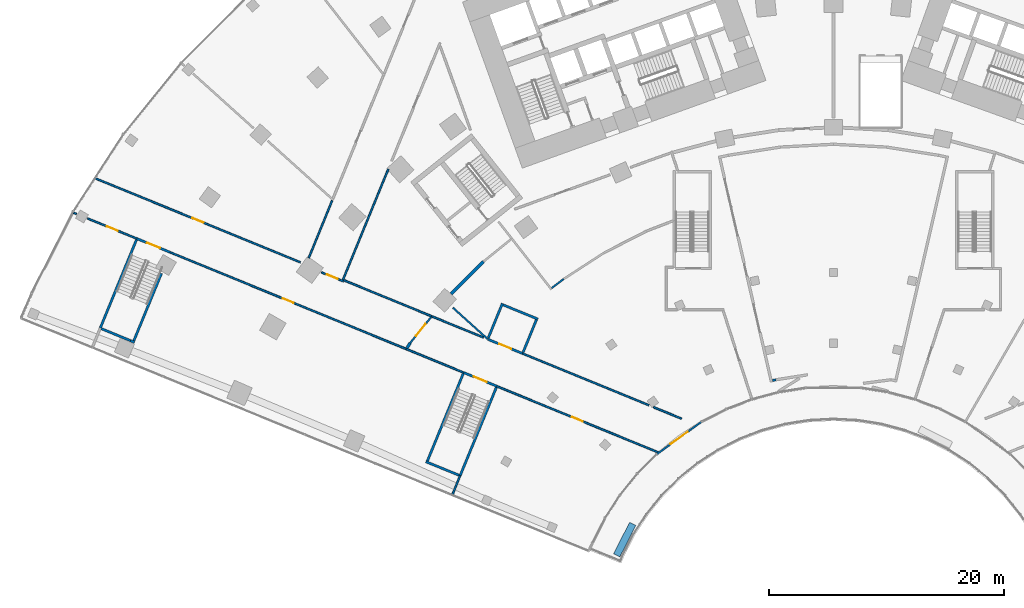
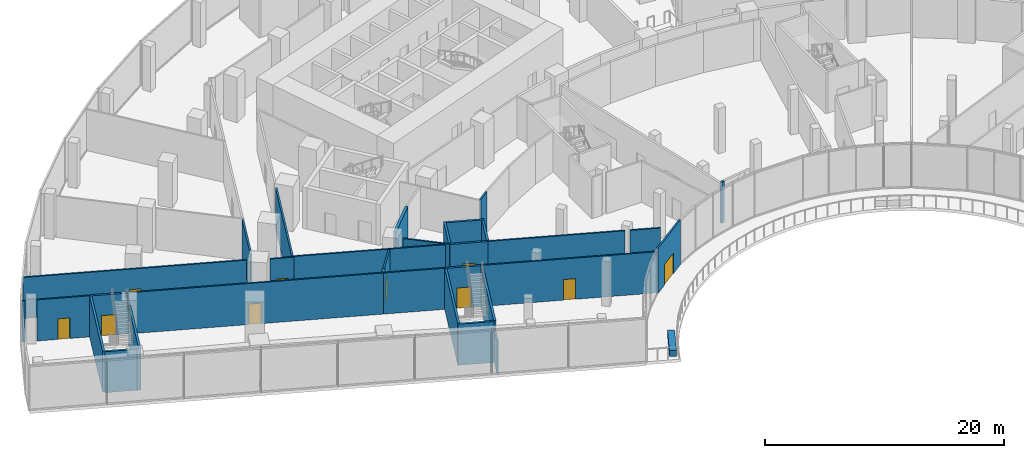
# One storey, part 21 of 40: 35 walls, 10 doors, 10 openings.
"""IFC4 building model written with IfcOpenShell, lengths in metres."""

from ifc_helpers import new_model, si_unit, direction, frame, frame_2d, origin, origin_2d, place, context, subcontext, project, spatial, rectangle, extrude, material, layer, layer_set, type_object, element, fill, save


model = new_model("IFC4")

# Units and contexts
model_context = context("Model", 3, precision=1e-05, world=origin(), true_north=direction((0.0, 1.0)))
body_context = subcontext(model_context, "Body", "Model", "MODEL_VIEW")
ifc_project = project(units=[si_unit("LENGTHUNIT", "METRE"), si_unit("AREAUNIT", "SQUARE_METRE"), si_unit("VOLUMEUNIT", "CUBIC_METRE"), si_unit("PLANEANGLEUNIT", "RADIAN"), si_unit("MASSUNIT", "GRAM", prefix="KILO")], contexts=[model_context])

# Site, building, storey
site_placement = place(None, origin())
site = spatial("IfcSite", under=ifc_project, at=site_placement, CompositionType="ELEMENT")
building_placement = place(site_placement, origin())
building = spatial("IfcBuilding", under=site, at=building_placement, Name="Stone Belt Terrace Tower", CompositionType="ELEMENT")
storey_placement = place(building_placement, frame((0.0, 0.0, 11.60009765625)))
storey = spatial("IfcBuildingStorey", under=building, at=storey_placement, Name="L02", CompositionType="ELEMENT", Elevation=11.60009765625)

# Wall, opening, door
ifc_material_1 = material(Name="Terracotta coloured glazed ceramic", Category="masonry")
ifc_layer_1 = layer(ifc_material_1, 0.14990234375)
ifc_layer_set_1 = layer_set([ifc_layer_1], Name="Ceramic rain-screen wall 150")
wall_type_1 = type_object("IfcWallType", Name="Ceramic rain-screen wall 150", PredefinedType="SOLIDWALL", material=ifc_layer_set_1)
wall_1_placement = place(storey_placement, frame((-14.9775390625, 16.6845703125, 0.0), z_axis=(0.0, 0.0, 1.0), x_axis=(0.809001065815, 0.587807175449, 0.0)))
wall_1 = element("IfcWall", 1, at=wall_1_placement, inside=storey, type_object=wall_type_1, Name="Door wall L02", PredefinedType="SOLIDWALL", context=body_context, shape_type="SweptSolid", body=[
    extrude(rectangle(XDim=4.620361328125, YDim=0.14990234375, at=frame_2d((2.31005859375, 0.0))), origin(), (0.0, 0.0, 1.0), 4.599853515625),
])
opening_1_placement = place(wall_1_placement, frame((1.41015625, 0.0, 0.0)))
opening_1 = element("IfcOpeningElement", 2, at=opening_1_placement, cuts=wall_1, Name="Opening L02-E01", PredefinedType="OPENING", context=body_context, shape_type="SweptSolid", body=[
    extrude(rectangle(XDim=1.800048828125, YDim=2.10009765625, at=frame_2d((0.89990234375, 1.050048828125))), frame((0.0, 0.0849609375, 0.0), z_axis=(0.0, -1.0, 0.0), x_axis=(1.0, 0.0, 0.0)), (0.0, 0.0, 1.0), 0.169921875),
])
ifc_material_2 = material(Name="Anodised aluminium glazed door", Category="aluminium")
door_type_1 = type_object("IfcDoorType", Name="Terrace double door 1800 x 2100", OperationType="DOUBLE_DOOR_DOUBLE_SWING", PredefinedType="DOOR", material=ifc_material_2)
door_1_placement = place(opening_1_placement, origin())
door_1 = element("IfcDoor", 3, at=door_1_placement, inside=storey, type_object=door_type_1, Name="Terrace door L02", OperationType="DOUBLE_DOOR_DOUBLE_SWING", OverallHeight=2.10009765625, OverallWidth=1.800048828125, PredefinedType="DOOR", context=body_context, shape_type="SweptSolid", body=[
    extrude(rectangle(XDim=1.800048828125, YDim=2.10009765625, at=frame_2d((0.89990234375, 1.050048828125))), frame((0.0, 0.02490234375, 0.0), z_axis=(0.0, -1.0, 0.0), x_axis=(1.0, 0.0, 0.0)), (0.0, 0.0, 1.0), 0.050048828125),
])
fill(opening_1, door_1)

# Walls
ifc_material_3 = material(Name="Concrete B30", Category="concrete")
ifc_layer_2 = layer(ifc_material_3, 0.25)
ifc_layer_set_2 = layer_set([ifc_layer_2], Name="Compartment wall 250")
wall_type_2 = type_object("IfcWallType", Name="Compartment wall 250", PredefinedType="SOLIDWALL", material=ifc_layer_set_2)
wall_2_placement = place(storey_placement, frame((-32.4853515625, 30.28466796875, 0.0), z_axis=(0.0, 0.0, 1.0), x_axis=(0.707106781187, 0.707106781187, 0.0)))
element("IfcWall", 4, at=wall_2_placement, inside=storey, type_object=wall_type_2, Name="Compartment wall L02 2", PredefinedType="SOLIDWALL", context=body_context, shape_type="SweptSolid", body=[
    extrude(rectangle(XDim=3.8759765625, YDim=0.25, at=frame_2d((1.93798828125, 0.0))), origin(), (0.0, 0.0, 1.0), 4.199951171875),
])
ifc_material_4 = material(Name="Fire-resistant glazing in steel frame", Category="steel")
ifc_layer_3 = layer(ifc_material_4, 0.25)
ifc_layer_set_3 = layer_set([ifc_layer_3], Name="Glazed compartment fire screen 250")
wall_type_3 = type_object("IfcWallType", Name="Glazed compartment fire screen 250", PredefinedType="PARTITIONING", material=ifc_layer_set_3)
wall_3_placement = place(storey_placement, frame((-36.2451171875, 25.68408203125, 0.0), z_axis=(0.0, 0.0, 1.0), x_axis=(0.547453853433, 0.836835873013, 0.0)))
element("IfcWall", 5, at=wall_3_placement, inside=storey, type_object=wall_type_3, Name="Compartment fire screen L02 1", PredefinedType="PARTITIONING", context=body_context, shape_type="SweptSolid", body=[
    extrude(rectangle(XDim=0.5146484375, YDim=0.25, at=frame_2d((0.25732421875, 0.0))), origin(), (0.0, 0.0, 1.0), 4.199951171875),
])
ifc_material_5 = material(Name="Precast concrete C40/50", Category="concrete")
ifc_layer_4 = layer(ifc_material_5, 0.60009765625)
ifc_layer_set_4 = layer_set([ifc_layer_4], Name="Planter box 600 x 600")
wall_type_4 = type_object("IfcWallType", Name="Planter box 600 x 600", PredefinedType="SOLIDWALL", material=ifc_layer_set_4)
wall_4_placement = place(storey_placement, frame((-17.733642578125, 9.410888671875, -0.000244140625), z_axis=(0.0, 0.0, 1.0), x_axis=(0.45399049974, 0.891006524188, 0.0)))
element("IfcWall", 6, at=wall_4_placement, inside=storey, type_object=wall_type_4, Name="PLANTER L02 1", PredefinedType="SOLIDWALL", context=body_context, shape_type="SweptSolid", body=[
    extrude(rectangle(XDim=3.0, YDim=0.60009765625, at=origin_2d()), origin(), (0.0, 0.0, 1.0), 0.60009765625),
])
ifc_material_6 = material(Name="Blockwork wall, plastered both faces", Category="masonry")
ifc_layer_5 = layer(ifc_material_6, 0.199951171875)
ifc_layer_set_5 = layer_set([ifc_layer_5], Name="Podium demising wall 200")
wall_type_5 = type_object("IfcWallType", Name="Podium demising wall 200", PredefinedType="PARTITIONING", material=ifc_layer_set_5)
wall_5_placement = place(storey_placement, frame((-5.1923828125, 22.922119140625, 0.0), z_axis=(0.0, 0.0, 1.0), x_axis=(0.975716252094, 0.219038342307, 0.0)))
element("IfcWall", 7, at=wall_5_placement, inside=storey, type_object=wall_type_5, Name="Podium demising wall 200", PredefinedType="PARTITIONING", context=body_context, shape_type="SweptSolid", body=[
    extrude(rectangle(XDim=0.306396484375, YDim=0.199951171875, at=frame_2d((0.1533203125, 0.0))), origin(), (0.0, 0.0, 1.0), 4.199951171875),
])

# Wall, opening, door
ifc_material_7 = material(Name="Reinforced blockwork wall, plastered both faces", Category="masonry")
ifc_layer_6 = layer(ifc_material_7, 0.199951171875)
ifc_layer_set_6 = layer_set([ifc_layer_6], Name="Podium lift shaft wall 200")
wall_type_6 = type_object("IfcWallType", Name="Podium lift shaft wall 200", PredefinedType="SOLIDWALL", material=ifc_layer_set_6)
wall_6_placement = place(storey_placement, frame((-29.3701171875, 26.429931640625, 0.0), z_axis=(0.0, 0.0, 1.0), x_axis=(0.925660010793, -0.378356372246, 0.0)))
wall_6 = element("IfcWall", 8, at=wall_6_placement, inside=storey, type_object=wall_type_6, Name="Podium lift shaft wall 200", PredefinedType="SOLIDWALL", context=body_context, shape_type="SweptSolid", body=[
    extrude(rectangle(XDim=3.197998046875, YDim=0.199951171875, at=frame_2d((1.59912109375, 0.0))), origin(), (0.0, 0.0, 1.0), 4.199951171875),
])
opening_2_placement = place(wall_6_placement, frame((1.048828125, 0.0, 0.0)))
opening_2 = element("IfcOpeningElement", 9, at=opening_2_placement, cuts=wall_6, Name="Opening L02-P09", PredefinedType="OPENING", context=body_context, shape_type="SweptSolid", body=[
    extrude(rectangle(XDim=1.10009765625, YDim=2.10009765625, at=frame_2d((0.550048828125, 1.050048828125))), frame((0.0, 0.10986328125, 0.0), z_axis=(0.0, -1.0, 0.0), x_axis=(1.0, 0.0, 0.0)), (0.0, 0.0, 1.0), 0.219970703125),
])
ifc_material_8 = material(Name="Stainless steel sliding landing door leaf", Category="steel")
door_type_2 = type_object("IfcDoorType", Name="Podium landing door 1100", OperationType="SLIDING_TO_LEFT", PredefinedType="DOOR", material=ifc_material_8)
door_2_placement = place(opening_2_placement, origin())
door_2 = element("IfcDoor", 10, at=door_2_placement, inside=storey, type_object=door_type_2, Name="Podium landing door 1100", OperationType="SLIDING_TO_LEFT", OverallHeight=2.10009765625, OverallWidth=1.10009765625, PredefinedType="DOOR", context=body_context, shape_type="SweptSolid", body=[
    extrude(rectangle(XDim=1.10009765625, YDim=2.10009765625, at=frame_2d((0.550048828125, 1.050048828125))), frame((0.0, 0.02490234375, 0.0), z_axis=(0.0, -1.0, 0.0), x_axis=(1.0, 0.0, 0.0)), (0.0, 0.0, 1.0), 0.050048828125),
])
fill(opening_2, door_2)

# Walls
wall_7_placement = place(storey_placement, frame((-29.326171875, 26.547119140625, 0.0), z_axis=(0.0, 0.0, 1.0), x_axis=(0.379522578953, 0.92518247501, 0.0)))
element("IfcWall", 11, at=wall_7_placement, inside=storey, type_object=wall_type_6, Name="Podium lift shaft wall 200", PredefinedType="SOLIDWALL", context=body_context, shape_type="SweptSolid", body=[
    extrude(rectangle(XDim=3.172607421875, YDim=0.199951171875, at=frame_2d((1.58642578125, 0.0))), origin(), (0.0, 0.0, 1.0), 4.199951171875),
])
wall_8_placement = place(storey_placement, frame((-28.0673828125, 29.352294921875, 0.0), z_axis=(0.0, 0.0, 1.0), x_axis=(0.925622338254, -0.378448526124, 0.0)))
element("IfcWall", 12, at=wall_8_placement, inside=storey, type_object=wall_type_6, Name="Podium lift shaft wall 200", PredefinedType="SOLIDWALL", context=body_context, shape_type="SweptSolid", body=[
    extrude(rectangle(XDim=3.19775390625, YDim=0.199951171875, at=frame_2d((1.598876953125, 0.0))), origin(), (0.0, 0.0, 1.0), 4.199951171875),
])
wall_9_placement = place(storey_placement, frame((-26.372314453125, 25.3125, 0.0), z_axis=(0.0, 0.0, 1.0), x_axis=(0.378442575395, 0.925624771237, 0.0)))
element("IfcWall", 13, at=wall_9_placement, inside=storey, type_object=wall_type_6, Name="Podium lift shaft wall 200", PredefinedType="SOLIDWALL", context=body_context, shape_type="SweptSolid", body=[
    extrude(rectangle(XDim=2.997802734375, YDim=0.199951171875, at=frame_2d((1.4990234375, 0.0))), origin(), (0.0, 0.0, 1.0), 4.199951171875),
])
ifc_material_9 = material(Name="Gypsum board on steel stud partition", Category="steel")
ifc_layer_7 = layer(ifc_material_9, 0.14990234375)
ifc_layer_set_7 = layer_set([ifc_layer_7], Name="Podium partition 150")
wall_type_7 = type_object("IfcWallType", Name="Podium partition 150", PredefinedType="PARTITIONING", material=ifc_layer_set_7)
wall_10_placement = place(storey_placement, frame((-64.56005859375, 37.179931640625, 0.0), z_axis=(0.0, 0.0, 1.0), x_axis=(0.92567790555, -0.378312589238, 0.0)))
element("IfcWall", 14, at=wall_10_placement, inside=storey, type_object=wall_type_7, Name="Podium partition 150", PredefinedType="PARTITIONING", context=body_context, shape_type="SweptSolid", body=[
    extrude(rectangle(XDim=0.26708984375, YDim=0.14990234375, at=frame_2d((0.133544921875, 0.0))), origin(), (0.0, 0.0, 1.0), 4.199951171875),
])

# Wall, opening, door
wall_11_placement = place(storey_placement, frame((-63.36962890625, 36.693115234375, 0.0), z_axis=(0.0, 0.0, 1.0), x_axis=(0.925603654014, -0.378494221458, 0.0)))
wall_11 = element("IfcWall", 15, at=wall_11_placement, inside=storey, type_object=wall_type_7, Name="Podium partition 150", PredefinedType="PARTITIONING", context=body_context, shape_type="SweptSolid", body=[
    extrude(rectangle(XDim=4.526123046875, YDim=0.14990234375, at=frame_2d((2.26318359375, 0.0))), origin(), (0.0, 0.0, 1.0), 4.199951171875),
])
opening_3_placement = place(wall_11_placement, frame((1.76318359375, 0.0, 0.0)))
opening_3 = element("IfcOpeningElement", 16, at=opening_3_placement, cuts=wall_11, Name="Opening L02-P18", PredefinedType="OPENING", context=body_context, shape_type="SweptSolid", body=[
    extrude(rectangle(XDim=1.0, YDim=2.10009765625, at=frame_2d((0.5, 1.050048828125))), frame((0.0, 0.0849609375, 0.0), z_axis=(0.0, -1.0, 0.0), x_axis=(1.0, 0.0, 0.0)), (0.0, 0.0, 1.0), 0.169921875),
])
ifc_material_10 = material(Name="Steel framed door leaf", Category="steel")
door_type_3 = type_object("IfcDoorType", Name="Podium door single 1000", OperationType="SINGLE_SWING_LEFT", PredefinedType="DOOR", material=ifc_material_10)
door_3_placement = place(opening_3_placement, origin())
door_3 = element("IfcDoor", 17, at=door_3_placement, inside=storey, type_object=door_type_3, Name="Podium door single 1000", OperationType="SINGLE_SWING_RIGHT", OverallHeight=2.10009765625, OverallWidth=1.0, PredefinedType="DOOR", context=body_context, shape_type="SweptSolid", body=[
    extrude(rectangle(XDim=1.0, YDim=2.10009765625, at=frame_2d((0.5, 1.050048828125))), frame((0.0, 0.02490234375, 0.0), z_axis=(0.0, -1.0, 0.0), x_axis=(1.0, 0.0, 0.0)), (0.0, 0.0, 1.0), 0.050048828125),
])
fill(opening_3, door_3)

wall_12_placement = place(storey_placement, frame((-62.77001953125, 40.126953125, 0.0), z_axis=(0.0, 0.0, 1.0), x_axis=(0.925299264419, -0.379237750318, 0.0)))
wall_12 = element("IfcWall", 18, at=wall_12_placement, inside=storey, type_object=wall_type_7, Name="Podium partition 150", PredefinedType="PARTITIONING", context=body_context, shape_type="SweptSolid", body=[
    extrude(rectangle(XDim=18.887451171875, YDim=0.14990234375, at=frame_2d((9.44384765625, 0.0))), origin(), (0.0, 0.0, 1.0), 4.199951171875),
])
opening_4_placement = place(wall_12_placement, frame((8.992431640625, 0.0, 0.0)))
opening_4 = element("IfcOpeningElement", 19, at=opening_4_placement, cuts=wall_12, Name="Opening L02-P22", PredefinedType="OPENING", context=body_context, shape_type="SweptSolid", body=[
    extrude(rectangle(XDim=1.0, YDim=2.10009765625, at=frame_2d((0.5, 1.050048828125))), frame((0.0, 0.0849609375, 0.0), z_axis=(0.0, -1.0, 0.0), x_axis=(1.0, 0.0, 0.0)), (0.0, 0.0, 1.0), 0.169921875),
])
door_4_placement = place(opening_4_placement, origin())
door_4 = element("IfcDoor", 20, at=door_4_placement, inside=storey, type_object=door_type_3, Name="Podium door single 1000", OperationType="SINGLE_SWING_RIGHT", OverallHeight=2.10009765625, OverallWidth=1.0, PredefinedType="DOOR", context=body_context, shape_type="SweptSolid", body=[
    extrude(rectangle(XDim=1.0, YDim=2.10009765625, at=frame_2d((0.5, 1.050048828125))), frame((0.0, 0.02490234375, 0.0), z_axis=(0.0, -1.0, 0.0), x_axis=(1.0, 0.0, 0.0)), (0.0, 0.0, 1.0), 0.050048828125),
])
fill(opening_4, door_4)

wall_13_placement = place(storey_placement, frame((-56.360107421875, 33.820068359375, 0.0), z_axis=(0.0, 0.0, 1.0), x_axis=(0.925327227709, -0.379169515733, 0.0)))
wall_13 = element("IfcWall", 21, at=wall_13_placement, inside=storey, type_object=wall_type_7, Name="Podium partition 150", PredefinedType="PARTITIONING", context=body_context, shape_type="SweptSolid", body=[
    extrude(rectangle(XDim=21.678955078125, YDim=0.14990234375, at=frame_2d((10.83935546875, 0.0))), origin(), (0.0, 0.0, 1.0), 4.199951171875),
])
opening_5_placement = place(wall_13_placement, frame((10.33935546875, 0.0, 0.0)))
opening_5 = element("IfcOpeningElement", 22, at=opening_5_placement, cuts=wall_13, Name="Opening L02-P17", PredefinedType="OPENING", context=body_context, shape_type="SweptSolid", body=[
    extrude(rectangle(XDim=1.0, YDim=2.10009765625, at=frame_2d((0.5, 1.050048828125))), frame((0.0, 0.0849609375, 0.0), z_axis=(0.0, -1.0, 0.0), x_axis=(1.0, 0.0, 0.0)), (0.0, 0.0, 1.0), 0.169921875),
])
door_5_placement = place(opening_5_placement, origin())
door_5 = element("IfcDoor", 23, at=door_5_placement, inside=storey, type_object=door_type_3, Name="Podium door single 1000", OperationType="SINGLE_SWING_LEFT", OverallHeight=2.10009765625, OverallWidth=1.0, PredefinedType="DOOR", context=body_context, shape_type="SweptSolid", body=[
    extrude(rectangle(XDim=1.0, YDim=2.10009765625, at=frame_2d((0.5, 1.050048828125))), frame((0.0, 0.02490234375, 0.0), z_axis=(0.0, -1.0, 0.0), x_axis=(1.0, 0.0, 0.0)), (0.0, 0.0, 1.0), 0.050048828125),
])
fill(opening_5, door_5)

wall_14_placement = place(storey_placement, frame((-43.498779296875, 32.112548828125, 0.0), z_axis=(0.0, 0.0, 1.0), x_axis=(0.925401628823, -0.378987896077, 0.0)))
wall_14 = element("IfcWall", 24, at=wall_14_placement, inside=storey, type_object=wall_type_7, Name="Podium partition 150", PredefinedType="PARTITIONING", context=body_context, shape_type="SweptSolid", body=[
    extrude(rectangle(XDim=2.008056640625, YDim=0.14990234375, at=frame_2d((1.00390625, 0.0))), origin(), (0.0, 0.0, 1.0), 4.199951171875),
])
opening_6_placement = place(wall_14_placement, frame((0.504150390625, 0.0, 0.0)))
opening_6 = element("IfcOpeningElement", 25, at=opening_6_placement, cuts=wall_14, Name="Opening L02-P38", PredefinedType="OPENING", context=body_context, shape_type="SweptSolid", body=[
    extrude(rectangle(XDim=1.0, YDim=2.10009765625, at=frame_2d((0.5, 1.050048828125))), frame((0.0, 0.0849609375, 0.0), z_axis=(0.0, -1.0, 0.0), x_axis=(1.0, 0.0, 0.0)), (0.0, 0.0, 1.0), 0.169921875),
])
door_6_placement = place(opening_6_placement, origin())
door_6 = element("IfcDoor", 26, at=door_6_placement, inside=storey, type_object=door_type_3, Name="Podium door single 1000", OperationType="SINGLE_SWING_RIGHT", OverallHeight=2.10009765625, OverallWidth=1.0, PredefinedType="DOOR", context=body_context, shape_type="SweptSolid", body=[
    extrude(rectangle(XDim=1.0, YDim=2.10009765625, at=frame_2d((0.5, 1.050048828125))), frame((0.0, 0.02490234375, 0.0), z_axis=(0.0, -1.0, 0.0), x_axis=(1.0, 0.0, 0.0)), (0.0, 0.0, 1.0), 0.050048828125),
])
fill(opening_6, door_6)

# Walls
wall_15_placement = place(storey_placement, frame((-44.581298828125, 33.344482421875, 0.0), z_axis=(0.0, 0.0, 1.0), x_axis=(0.377975664605, 0.925815530744, 0.0)))
element("IfcWall", 27, at=wall_15_placement, inside=storey, type_object=wall_type_7, Name="Podium partition 150", PredefinedType="PARTITIONING", context=body_context, shape_type="SweptSolid", body=[
    extrude(rectangle(XDim=5.26611328125, YDim=0.14990234375, at=frame_2d((2.633056640625, 0.0))), origin(), (0.0, 0.0, 1.0), 4.199951171875),
])
wall_16_placement = place(storey_placement, frame((-41.679931640625, 31.469970703125, 0.0), z_axis=(0.0, 0.0, 1.0), x_axis=(0.379243967023, 0.925296716452, 0.0)))
element("IfcWall", 28, at=wall_16_placement, inside=storey, type_object=wall_type_7, Name="Podium partition 150", PredefinedType="PARTITIONING", context=body_context, shape_type="SweptSolid", body=[
    extrude(rectangle(XDim=10.171875, YDim=0.14990234375, at=frame_2d((5.0859375, 0.0))), origin(), (0.0, 0.0, 1.0), 4.199951171875),
])
wall_17_placement = place(storey_placement, frame((-41.60595703125, 31.44970703125, 0.0), z_axis=(0.0, 0.0, 1.0), x_axis=(0.925050526838, -0.379844076953, 0.0)))
element("IfcWall", 29, at=wall_17_placement, inside=storey, type_object=wall_type_7, Name="Podium partition 150", PredefinedType="PARTITIONING", context=body_context, shape_type="SweptSolid", body=[
    extrude(rectangle(XDim=8.081787109375, YDim=0.14990234375, at=frame_2d((4.041015625, 0.0))), origin(), (0.0, 0.0, 1.0), 4.199951171875),
])
wall_18_placement = place(storey_placement, frame((-36.300048828125, 25.60009765625, 0.0), z_axis=(0.0, 0.0, 1.0), x_axis=(0.92530860032, -0.379214970925, 0.0)))
element("IfcWall", 30, at=wall_18_placement, inside=storey, type_object=wall_type_7, Name="Podium partition 150", PredefinedType="PARTITIONING", context=body_context, shape_type="SweptSolid", body=[
    extrude(rectangle(XDim=5.274169921875, YDim=0.14990234375, at=frame_2d((2.63720703125, 0.0))), origin(), (0.0, 0.0, 1.0), 4.199951171875),
])

# Wall, opening, door
wall_19_placement = place(storey_placement, frame((-35.95751953125, 26.123046875, 0.0), z_axis=(0.0, 0.0, 1.0), x_axis=(0.629303430663, 0.777159695401, 0.0)))
wall_19 = element("IfcWall", 31, at=wall_19_placement, inside=storey, type_object=wall_type_7, Name="Podium partition 150", PredefinedType="PARTITIONING", context=body_context, shape_type="SweptSolid", body=[
    extrude(rectangle(XDim=2.8037109375, YDim=0.14990234375, at=frame_2d((1.40185546875, 0.0))), origin(), (0.0, 0.0, 1.0), 4.199951171875),
])
opening_7_placement = place(wall_19_placement, frame((0.762939453125, 0.0, 0.0)))
opening_7 = element("IfcOpeningElement", 32, at=opening_7_placement, cuts=wall_19, Name="Opening L02-P40", PredefinedType="OPENING", context=body_context, shape_type="SweptSolid", body=[
    extrude(rectangle(XDim=1.300048828125, YDim=2.10009765625, at=frame_2d((0.64990234375, 1.050048828125))), frame((0.0, 0.0849609375, 0.0), z_axis=(0.0, -1.0, 0.0), x_axis=(1.0, 0.0, 0.0)), (0.0, 0.0, 1.0), 0.169921875),
])
ifc_material_11 = material(Name="Steel framed fire door leaf", Category="steel")
door_type_4 = type_object("IfcDoorType", Name="Fire door 1300 x 2100 EI 60", OperationType="SINGLE_SWING_LEFT", PredefinedType="DOOR", material=ifc_material_11)
door_7_placement = place(opening_7_placement, origin())
door_7 = element("IfcDoor", 33, at=door_7_placement, inside=storey, type_object=door_type_4, Name="Fire door 1300 x 2100 EI 60", OperationType="SINGLE_SWING_LEFT", OverallHeight=2.10009765625, OverallWidth=1.300048828125, PredefinedType="DOOR", context=body_context, shape_type="SweptSolid", body=[
    extrude(rectangle(XDim=1.300048828125, YDim=2.10009765625, at=frame_2d((0.64990234375, 1.050048828125))), frame((0.0, 0.02490234375, 0.0), z_axis=(0.0, -1.0, 0.0), x_axis=(1.0, 0.0, 0.0)), (0.0, 0.0, 1.0), 0.050048828125),
])
fill(opening_7, door_7)

# Walls
wall_20_placement = place(storey_placement, frame((-34.1298828125, 28.3798828125, 0.0), z_axis=(0.0, 0.0, 1.0), x_axis=(0.925369477144, -0.379066393618, 0.0)))
element("IfcWall", 34, at=wall_20_placement, inside=storey, type_object=wall_type_7, Name="Podium partition 150", PredefinedType="PARTITIONING", context=body_context, shape_type="SweptSolid", body=[
    extrude(rectangle(XDim=4.73583984375, YDim=0.14990234375, at=frame_2d((2.367919921875, 0.0))), origin(), (0.0, 0.0, 1.0), 4.199951171875),
])
wall_21_placement = place(storey_placement, frame((-32.338623046875, 29.11669921875, 0.0), z_axis=(0.0, 0.0, 1.0), x_axis=(0.742661392624, -0.669667123208, 0.0)))
element("IfcWall", 35, at=wall_21_placement, inside=storey, type_object=wall_type_7, Name="Podium partition 150", PredefinedType="PARTITIONING", context=body_context, shape_type="SweptSolid", body=[
    extrude(rectangle(XDim=3.973388671875, YDim=0.14990234375, at=frame_2d((1.98681640625, 0.0))), origin(), (0.0, 0.0, 1.0), 4.199951171875),
])
wall_22_placement = place(storey_placement, frame((-32.360107421875, 13.260009765625, 0.0), z_axis=(0.0, 0.0, 1.0), x_axis=(0.375412514618, 0.926857833688, 0.0)))
element("IfcWall", 36, at=wall_22_placement, inside=storey, type_object=wall_type_7, Name="Podium partition 150", PredefinedType="PARTITIONING", context=body_context, shape_type="SweptSolid", body=[
    extrude(rectangle(XDim=1.70458984375, YDim=0.14990234375, at=frame_2d((0.852294921875, 0.0))), origin(), (0.0, 0.0, 1.0), 3.2998046875),
])

# Wall, opening, door
wall_23_placement = place(storey_placement, frame((-28.60009765625, 22.43994140625, 0.0), z_axis=(0.0, 0.0, 1.0), x_axis=(0.925325735785, -0.379173156609, 0.0)))
wall_23 = element("IfcWall", 37, at=wall_23_placement, inside=storey, type_object=wall_type_7, Name="Podium partition 150", PredefinedType="PARTITIONING", context=body_context, shape_type="SweptSolid", body=[
    extrude(rectangle(XDim=14.794921875, YDim=0.14990234375, at=frame_2d((7.3974609375, 0.0))), origin(), (0.0, 0.0, 1.0), 4.199951171875),
])
opening_8_placement = place(wall_23_placement, frame((6.8974609375, 0.0, 0.0)))
opening_8 = element("IfcOpeningElement", 38, at=opening_8_placement, cuts=wall_23, Name="Opening L02-P16", PredefinedType="OPENING", context=body_context, shape_type="SweptSolid", body=[
    extrude(rectangle(XDim=1.0, YDim=2.10009765625, at=frame_2d((0.5, 1.050048828125))), frame((0.0, 0.0849609375, 0.0), z_axis=(0.0, -1.0, 0.0), x_axis=(1.0, 0.0, 0.0)), (0.0, 0.0, 1.0), 0.169921875),
])
door_8_placement = place(opening_8_placement, origin())
door_8 = element("IfcDoor", 39, at=door_8_placement, inside=storey, type_object=door_type_3, Name="Podium door single 1000", OperationType="SINGLE_SWING_RIGHT", OverallHeight=2.10009765625, OverallWidth=1.0, PredefinedType="DOOR", context=body_context, shape_type="SweptSolid", body=[
    extrude(rectangle(XDim=1.0, YDim=2.10009765625, at=frame_2d((0.5, 1.050048828125))), frame((0.0, 0.02490234375, 0.0), z_axis=(0.0, -1.0, 0.0), x_axis=(1.0, 0.0, 0.0)), (0.0, 0.0, 1.0), 0.050048828125),
])
fill(opening_8, door_8)

# Walls
wall_24_placement = place(storey_placement, frame((-26.409912109375, 25.219970703125, 0.0), z_axis=(0.0, 0.0, 1.0), x_axis=(0.925275335137, -0.37929612994, 0.0)))
element("IfcWall", 40, at=wall_24_placement, inside=storey, type_object=wall_type_7, Name="Podium partition 150", PredefinedType="PARTITIONING", context=body_context, shape_type="SweptSolid", body=[
    extrude(rectangle(XDim=11.593017578125, YDim=0.14990234375, at=frame_2d((5.79638671875, 0.0))), origin(), (0.0, 0.0, 1.0), 4.199951171875),
])
wall_25_placement = place(storey_placement, frame((-15.302978515625, 20.6669921875, 0.0), z_axis=(0.0, 0.0, 1.0), x_axis=(0.925275358442, -0.379296073087, 0.0)))
element("IfcWall", 41, at=wall_25_placement, inside=storey, type_object=wall_type_7, Name="Podium partition 150", PredefinedType="PARTITIONING", context=body_context, shape_type="SweptSolid", body=[
    extrude(rectangle(XDim=2.593994140625, YDim=0.14990234375, at=frame_2d((1.296875, 0.0))), origin(), (0.0, 0.0, 1.0), 4.199951171875),
])
wall_26_placement = place(storey_placement, frame((-23.9501953125, 30.775146484375, 0.0), z_axis=(0.0, 0.0, 1.0), x_axis=(0.79920217951, 0.601062289838, 0.0)))
element("IfcWall", 42, at=wall_26_placement, inside=storey, type_object=wall_type_7, Name="Podium partition 150", PredefinedType="PARTITIONING", context=body_context, shape_type="SweptSolid", body=[
    extrude(rectangle(XDim=1.286376953125, YDim=0.14990234375, at=frame_2d((0.64306640625, 0.0))), origin(), (0.0, 0.0, 1.0), 4.199951171875),
])
ifc_layer_8 = layer(ifc_material_3, 0.199951171875)
ifc_layer_set_8 = layer_set([ifc_layer_8], Name="Podium stair and shaft wall 200")
wall_type_8 = type_object("IfcWallType", Name="Podium stair and shaft wall 200", PredefinedType="SOLIDWALL", material=ifc_layer_set_8)
wall_27_placement = place(storey_placement, frame((-62.20751953125, 27.33203125, 0.0), z_axis=(0.0, 0.0, 1.0), x_axis=(0.924825245406, -0.380392252102, 0.0)))
element("IfcWall", 43, at=wall_27_placement, inside=storey, type_object=wall_type_8, Name="Podium stair and shaft wall 200", PredefinedType="SOLIDWALL", context=body_context, shape_type="SweptSolid", body=[
    extrude(rectangle(XDim=2.678955078125, YDim=0.199951171875, at=frame_2d((1.33935546875, 0.0))), origin(), (0.0, 0.0, 1.0), 4.199951171875),
])
wall_28_placement = place(storey_placement, frame((-59.72998046875, 26.31298828125, 0.0), z_axis=(0.0, 0.0, 1.0), x_axis=(0.924841834944, -0.380351916438, 0.0)))
element("IfcWall", 44, at=wall_28_placement, inside=storey, type_object=wall_type_8, Name="Podium stair and shaft wall 200", PredefinedType="SOLIDWALL", context=body_context, shape_type="SweptSolid", body=[
    extrude(rectangle(XDim=0.370361328125, YDim=0.199951171875, at=frame_2d((0.18505859375, 0.0))), origin(), (0.0, 0.0, 1.0), 4.199951171875),
])
wall_29_placement = place(storey_placement, frame((-62.300048828125, 27.3701171875, 0.0), z_axis=(0.0, 0.0, 1.0), x_axis=(0.379345306329, 0.925255174839, 0.0)))
element("IfcWall", 45, at=wall_29_placement, inside=storey, type_object=wall_type_8, Name="Podium stair and shaft wall 200", PredefinedType="SOLIDWALL", context=body_context, shape_type="SweptSolid", body=[
    extrude(rectangle(XDim=8.12451171875, YDim=0.199951171875, at=frame_2d((4.062255859375, 0.0))), origin(), (0.0, 0.0, 1.0), 4.199951171875),
])
wall_30_placement = place(storey_placement, frame((-59.442138671875, 26.302490234375, 0.0), z_axis=(0.0, 0.0, 1.0), x_axis=(0.37933470683, 0.925259520456, 0.0)))
element("IfcWall", 46, at=wall_30_placement, inside=storey, type_object=wall_type_8, Name="Podium stair and shaft wall 200", PredefinedType="SOLIDWALL", context=body_context, shape_type="SweptSolid", body=[
    extrude(rectangle(XDim=6.18896484375, YDim=0.199951171875, at=frame_2d((3.094482421875, 0.0))), origin(), (0.0, 0.0, 1.0), 4.199951171875),
])

# Wall, opening, door
wall_31_placement = place(storey_placement, frame((-59.179931640625, 34.97998046875, 0.0), z_axis=(0.0, 0.0, 1.0), x_axis=(0.924815674246, -0.380415521068, 0.0)))
wall_31 = element("IfcWall", 47, at=wall_31_placement, inside=storey, type_object=wall_type_8, Name="Podium stair and shaft wall 200", PredefinedType="SOLIDWALL", context=body_context, shape_type="SweptSolid", body=[
    extrude(rectangle(XDim=3.049072265625, YDim=0.199951171875, at=frame_2d((1.5244140625, 0.0))), origin(), (0.0, 0.0, 1.0), 4.199951171875),
])
opening_9_placement = place(wall_31_placement, frame((0.924560546875, 0.0, 0.0)))
opening_9 = element("IfcOpeningElement", 48, at=opening_9_placement, cuts=wall_31, Name="Opening L02-P02", PredefinedType="OPENING", context=body_context, shape_type="SweptSolid", body=[
    extrude(rectangle(XDim=1.199951171875, YDim=2.10009765625, at=frame_2d((0.60009765625, 1.050048828125))), frame((0.0, 0.10986328125, 0.0), z_axis=(0.0, -1.0, 0.0), x_axis=(1.0, 0.0, 0.0)), (0.0, 0.0, 1.0), 0.219970703125),
])
door_type_5 = type_object("IfcDoorType", Name="Podium door fire stair 1200", OperationType="SINGLE_SWING_LEFT", PredefinedType="DOOR", material=ifc_material_10)
door_9_placement = place(opening_9_placement, origin())
door_9 = element("IfcDoor", 49, at=door_9_placement, inside=storey, type_object=door_type_5, Name="Podium door fire stair 1200", OperationType="SINGLE_SWING_RIGHT", OverallHeight=2.10009765625, OverallWidth=1.199951171875, PredefinedType="DOOR", context=body_context, shape_type="SweptSolid", body=[
    extrude(rectangle(XDim=1.199951171875, YDim=2.10009765625, at=frame_2d((0.60009765625, 1.050048828125))), frame((0.0, 0.02490234375, 0.0), z_axis=(0.0, -1.0, 0.0), x_axis=(1.0, 0.0, 0.0)), (0.0, 0.0, 1.0), 0.050048828125),
])
fill(opening_9, door_9)

# Walls
wall_32_placement = place(storey_placement, frame((-34.632568359375, 16.02783203125, 0.0), z_axis=(0.0, 0.0, 1.0), x_axis=(0.92595120991, -0.377643160756, 0.0)))
element("IfcWall", 50, at=wall_32_placement, inside=storey, type_object=wall_type_8, Name="Podium stair and shaft wall 200", PredefinedType="SOLIDWALL", context=body_context, shape_type="SweptSolid", body=[
    extrude(rectangle(XDim=3.045654296875, YDim=0.199951171875, at=frame_2d((1.52294921875, 0.0))), origin(), (0.0, 0.0, 1.0), 4.199951171875),
])
wall_33_placement = place(storey_placement, frame((-34.502197265625, 16.08251953125, 0.0), z_axis=(0.0, 0.0, 1.0), x_axis=(0.379344686309, 0.925255429041, 0.0)))
element("IfcWall", 51, at=wall_33_placement, inside=storey, type_object=wall_type_8, Name="Podium stair and shaft wall 200", PredefinedType="SOLIDWALL", context=body_context, shape_type="SweptSolid", body=[
    extrude(rectangle(XDim=8.02490234375, YDim=0.199951171875, at=frame_2d((4.012451171875, 0.0))), origin(), (0.0, 0.0, 1.0), 4.199951171875),
])
wall_34_placement = place(storey_placement, frame((-31.719970703125, 14.840087890625, 0.0), z_axis=(0.0, 0.0, 1.0), x_axis=(0.379778190266, 0.925077578476, 0.0)))
element("IfcWall", 52, at=wall_34_placement, inside=storey, type_object=wall_type_8, Name="Podium stair and shaft wall 200", PredefinedType="SOLIDWALL", context=body_context, shape_type="SweptSolid", body=[
    extrude(rectangle(XDim=8.115234375, YDim=0.199951171875, at=frame_2d((4.0576171875, 0.0))), origin(), (0.0, 0.0, 1.0), 4.199951171875),
])

# Wall, opening, door
wall_35_placement = place(storey_placement, frame((-31.419921875, 23.60009765625, 0.0), z_axis=(0.0, 0.0, 1.0), x_axis=(0.924787502584, -0.380484001063, 0.0)))
wall_35 = element("IfcWall", 53, at=wall_35_placement, inside=storey, type_object=wall_type_8, Name="Podium stair and shaft wall 200", PredefinedType="SOLIDWALL", context=body_context, shape_type="SweptSolid", body=[
    extrude(rectangle(XDim=3.049072265625, YDim=0.199951171875, at=frame_2d((1.5244140625, 0.0))), origin(), (0.0, 0.0, 1.0), 4.199951171875),
])
opening_10_placement = place(wall_35_placement, frame((0.924560546875, 0.0, 0.0)))
opening_10 = element("IfcOpeningElement", 54, at=opening_10_placement, cuts=wall_35, Name="Opening L02-P01", PredefinedType="OPENING", context=body_context, shape_type="SweptSolid", body=[
    extrude(rectangle(XDim=1.199951171875, YDim=2.10009765625, at=frame_2d((0.60009765625, 1.050048828125))), frame((0.0, 0.10986328125, 0.0), z_axis=(0.0, -1.0, 0.0), x_axis=(1.0, 0.0, 0.0)), (0.0, 0.0, 1.0), 0.219970703125),
])
door_10_placement = place(opening_10_placement, origin())
door_10 = element("IfcDoor", 55, at=door_10_placement, inside=storey, type_object=door_type_5, Name="Podium door fire stair 1200", OperationType="SINGLE_SWING_LEFT", OverallHeight=2.10009765625, OverallWidth=1.199951171875, PredefinedType="DOOR", context=body_context, shape_type="SweptSolid", body=[
    extrude(rectangle(XDim=1.199951171875, YDim=2.10009765625, at=frame_2d((0.60009765625, 1.050048828125))), frame((0.0, 0.02490234375, 0.0), z_axis=(0.0, -1.0, 0.0), x_axis=(1.0, 0.0, 0.0)), (0.0, 0.0, 1.0), 0.050048828125),
])
fill(opening_10, door_10)

save(model, "model.ifc")
